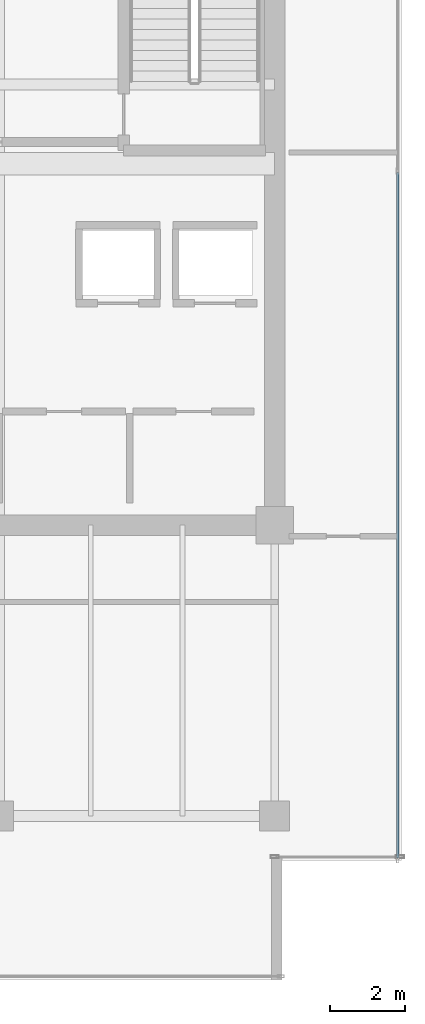
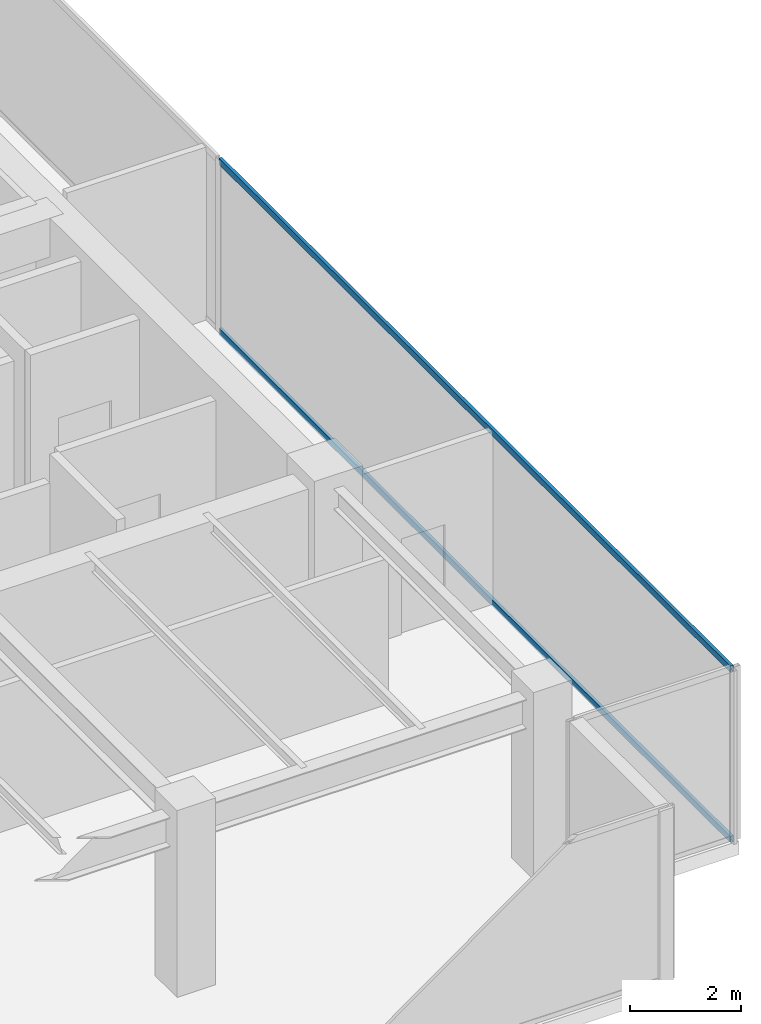
# One storey, part 23 of 33: 2 members, 1 element without a shape of its own.
"""IFC4 building model written with IfcOpenShell, lengths in metres."""

from ifc_helpers import new_model, si_unit, direction, frame, origin, origin_2d, place, context, subcontext, project, spatial, hollow_rectangle, extrude, source, transform, mapped, material, layer, layer_set, material_profile, profile_set, type_object, type_shapes, element, aggregate, save


model = new_model("IFC4")

# Units and contexts
model_context = context("Model", 3, precision=1e-05, world=origin(), true_north=direction((0.0, 1.0)))
body_context = subcontext(model_context, "Body", "Model", "MODEL_VIEW")
ifc_project = project(units=[si_unit("LENGTHUNIT", "METRE"), si_unit("AREAUNIT", "SQUARE_METRE"), si_unit("VOLUMEUNIT", "CUBIC_METRE"), si_unit("PLANEANGLEUNIT", "RADIAN"), si_unit("MASSUNIT", "GRAM", prefix="KILO")], contexts=[model_context])

# Site, building, storey
site_placement = place(None, origin())
site = spatial("IfcSite", under=ifc_project, at=site_placement, CompositionType="ELEMENT")
building_placement = place(site_placement, origin())
building = spatial("IfcBuilding", under=site, at=building_placement, Name="Haelvirn Gate Laboratories", CompositionType="ELEMENT")
storey_placement = place(building_placement, frame((0.0, 0.0, 275.199951171875)))
storey = spatial("IfcBuildingStorey", under=building, at=storey_placement, Name="L66", CompositionType="ELEMENT", Elevation=275.199951171875)

# Curtain wall, members
ifc_material_1 = material(Name="Anodised bronze unitised aluminium & triple low-E glass", Category="aluminium")
ifc_layer = layer(ifc_material_1, 0.176025390625, Name="CW-SYS-4")
ifc_layer_set = layer_set([ifc_layer], Name="Anodised bronze unitised aluminium & triple low-E glass")
curtain_wall_type = type_object("IfcCurtainWallType", Name="CW-SYS-4", PredefinedType="NOTDEFINED", material=ifc_layer_set)
curtain_wall_placement = place(storey_placement, origin())
curtain_wall = element("IfcCurtainWall", 1, at=curtain_wall_placement, inside=storey, type_object=curtain_wall_type, Name="L66 Unitised Curtain Wall CW-L66-P0-E07", PredefinedType="NOTDEFINED")
ifc_material_2 = material(Name="Extruded aluminium 6063-T6 (anodised bronze)", Category="aluminium")
ifc_material_profile = material_profile(ifc_material_2, hollow_rectangle(XDim=0.06494140625, YDim=0.139892578125, WallThickness=0.00390625, at=origin_2d()), Name="CWT-140x65x4")
ifc_profile_set = profile_set([ifc_material_profile], Name="Extruded aluminium 6063-T6 (anodised bronze)")
member_type = type_object("IfcMemberType", Name="CWT-T140", PredefinedType="USERDEFINED", material=ifc_profile_set)
shared_shape = source(origin(), body_context, "Body", "SweptSolid", [
    extrude(hollow_rectangle(XDim=0.06494140625, YDim=0.139892578125, WallThickness=0.00390625, at=origin_2d()), origin(), (0.0, 0.0, 1.0), 18.394775390625),
])
type_shapes(member_type, [shared_shape])
member_1_placement = place(storey_placement, frame((70.699951171875, 5.8701171875, 0.032470703125), z_axis=(0.0, 1.0, 0.0), x_axis=(-1.0, 0.0, 0.0)))
member_1 = element("IfcMember", 2, at=member_1_placement, type_object=member_type, Name="CW4 transom 1.1", ObjectType="TRANSOM", PredefinedType="USERDEFINED", context=body_context, shape_type="MappedRepresentation", body=[
    mapped(shared_shape, transform((0.0, 0.0, 0.0), scale=1.0)),
])
member_2_placement = place(storey_placement, frame((70.699951171875, 5.8701171875, 3.767578125), z_axis=(0.0, 1.0, 0.0), x_axis=(-1.0, 0.0, 0.0)))
member_2 = element("IfcMember", 3, at=member_2_placement, type_object=member_type, Name="CW4 transom 1.2", ObjectType="TRANSOM", PredefinedType="USERDEFINED", context=body_context, shape_type="MappedRepresentation", body=[
    mapped(shared_shape, transform((0.0, 0.0, 0.0), scale=1.0)),
])
aggregate(curtain_wall, [member_1, member_2])

save(model, "model.ifc")
